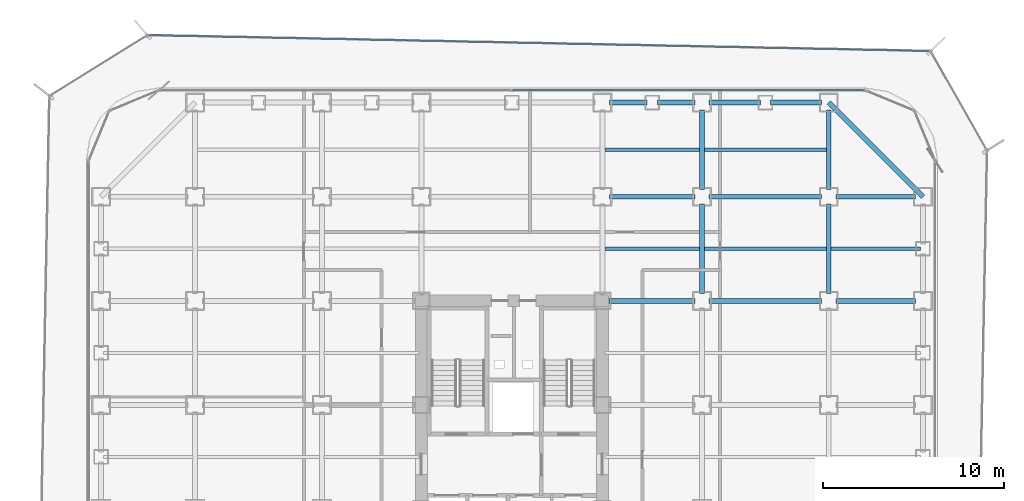
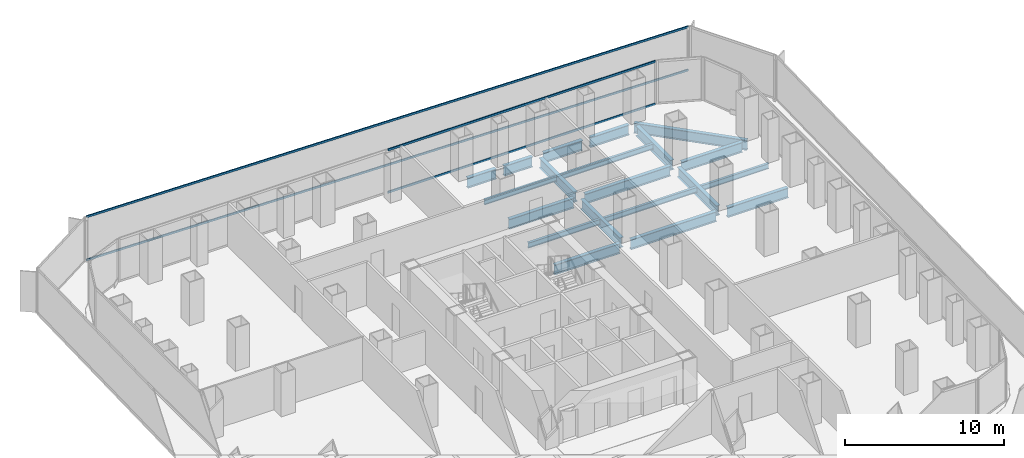
# One storey, part 14 of 21: 20 beams, 4 members, 2 elements without a shape of their own.
"""IFC4 building model written with IfcOpenShell, lengths in metres."""

from ifc_helpers import new_model, si_unit, direction, frame, origin, origin_2d, place, context, subcontext, project, spatial, hollow_rectangle, i_section, extrude, source, transform, mapped, material, layer, layer_set, material_profile, profile_set, type_object, element, aggregate, save


model = new_model("IFC4")

# Units and contexts
model_context = context("Model", 3, precision=1e-05, world=origin(), true_north=direction((0.0, 1.0)))
body_context = subcontext(model_context, "Body", "Model", "MODEL_VIEW")
ifc_project = project(units=[si_unit("LENGTHUNIT", "METRE"), si_unit("AREAUNIT", "SQUARE_METRE"), si_unit("VOLUMEUNIT", "CUBIC_METRE"), si_unit("PLANEANGLEUNIT", "RADIAN"), si_unit("MASSUNIT", "GRAM", prefix="KILO")], contexts=[model_context])

# Site, building, storey
site_placement = place(None, origin())
site = spatial("IfcSite", under=ifc_project, at=site_placement, CompositionType="ELEMENT")
building_placement = place(site_placement, origin())
building = spatial("IfcBuilding", under=site, at=building_placement, Name="Kolveth Station Tower", CompositionType="ELEMENT")
storey_placement = place(building_placement, frame((0.0, 0.0, 62.10009765625)))
storey = spatial("IfcBuildingStorey", under=building, at=storey_placement, Name="L16", CompositionType="ELEMENT", Elevation=62.10009765625)

# Beams
ifc_material_1 = material(Name="Steel S355", Category="steel")
ifc_material_profile_1 = material_profile(ifc_material_1, i_section(OverallWidth=0.26904296875, OverallDepth=0.77490234375, WebThickness=0.01708984375, FlangeThickness=0.0283203125, at=origin_2d()), Name="W760x220")
ifc_profile_set_1 = profile_set([ifc_material_profile_1], Name="Steel S355")
beam_type_1 = type_object("IfcBeamType", Name="Beam_SP1", PredefinedType="SPANDREL", material=ifc_profile_set_1)
shared_shape_1 = source(origin(), body_context, "Body", "SweptSolid", [
    extrude(i_section(OverallWidth=0.26904296875, OverallDepth=0.77490234375, WebThickness=0.01708984375, FlangeThickness=0.0283203125, at=origin_2d()), origin(), (0.0, 0.0, 1.0), 7.353759765625),
])
beam_1_placement = place(storey_placement, frame((46.199951171875, 34.5, -0.66748046875), z_axis=(-0.707106781187, 0.707106781187, 0.0), x_axis=(-0.707106781187, -0.707106781187, 0.0)))
element("IfcBeam", 1, at=beam_1_placement, inside=storey, type_object=beam_type_1, Name="L16 Corner Edge Girder BM-L16-CNR-NE", PredefinedType="SPANDREL", context=body_context, shape_type="MappedRepresentation", body=[
    mapped(shared_shape_1, transform((0.0, 0.0, 0.0), x_axis=(1.0, 0.0, 0.0), y_axis=(0.0, 1.0, 0.0), z_axis=(0.0, 0.0, 1.0), scale=1.0)),
])
shared_shape_2 = source(origin(), body_context, "Body", "SweptSolid", [
    extrude(i_section(OverallWidth=0.26904296875, OverallDepth=0.77490234375, WebThickness=0.01708984375, FlangeThickness=0.0283203125, at=origin_2d()), origin(), (0.0, 0.0, 1.0), 2.820068359375),
])
for number, where, z_axis, x_axis, name in (
    (2, (34.39990234375, 39.699951171875, -0.66748046875), (1.0, 0.0, 0.0), (0.0, 1.0, 0.0), "L16 Perimeter Spandrel BM-L16-PN-9"),
    (3, (37.780029296875, 39.699951171875, -0.66748046875), (1.0, 0.0, 0.0), (0.0, 1.0, 0.0), "L16 Perimeter Spandrel BM-L16-PN-10"),
):
    element("IfcBeam", number, at=place(storey_placement, frame(where, z_axis=z_axis, x_axis=x_axis)), inside=storey, type_object=beam_type_1, Name=name, PredefinedType="SPANDREL", context=body_context, shape_type="MappedRepresentation", body=[
        mapped(shared_shape_2, transform((0.0, 0.0, 0.0), x_axis=(1.0, 0.0, 0.0), y_axis=(0.0, 1.0, 0.0), z_axis=(0.0, 0.0, 1.0), scale=1.0)),
    ])
shared_shape_3 = source(origin(), body_context, "Body", "SweptSolid", [
    extrude(i_section(OverallWidth=0.26904296875, OverallDepth=0.77490234375, WebThickness=0.01708984375, FlangeThickness=0.0283203125, at=origin_2d()), origin(), (0.0, 0.0, 1.0), 2.070068359375),
])
for number, where, z_axis, x_axis, name in (
    (4, (28.89990234375, 39.699951171875, -0.66748046875), (1.0, 0.0, 0.0), (0.0, 1.0, 0.0), "L16 Perimeter Spandrel BM-L16-PN-7"),
    (5, (31.530029296875, 39.699951171875, -0.66748046875), (1.0, 0.0, 0.0), (0.0, 1.0, 0.0), "L16 Perimeter Spandrel BM-L16-PN-8"),
):
    element("IfcBeam", number, at=place(storey_placement, frame(where, z_axis=z_axis, x_axis=x_axis)), inside=storey, type_object=beam_type_1, Name=name, PredefinedType="SPANDREL", context=body_context, shape_type="MappedRepresentation", body=[
        mapped(shared_shape_3, transform((0.0, 0.0, 0.0), x_axis=(1.0, 0.0, 0.0), y_axis=(0.0, 1.0, 0.0), z_axis=(0.0, 0.0, 1.0), scale=1.0)),
    ])
ifc_material_profile_2 = material_profile(ifc_material_1, i_section(OverallWidth=0.26708984375, OverallDepth=0.76611328125, WebThickness=0.014892578125, FlangeThickness=0.023681640625, at=origin_2d()), Name="W760x185")
ifc_profile_set_2 = profile_set([ifc_material_profile_2], Name="Steel S355")
beam_type_2 = type_object("IfcBeamType", Name="Beam_B3", PredefinedType="BEAM", material=ifc_profile_set_2)
shared_shape_4 = source(origin(), body_context, "Body", "SweptSolid", [
    extrude(i_section(OverallWidth=0.26708984375, OverallDepth=0.76611328125, WebThickness=0.014892578125, FlangeThickness=0.023681640625, at=origin_2d()), origin(), (0.0, 0.0, 1.0), 4.400146484375),
])
for number, where, z_axis, x_axis, name in (
    (6, (41.39990234375, 28.75, -0.6630859375), (1.0, 0.0, 0.0), (0.0, 1.0, 0.0), "L16 Primary Girder BM-L16-GY287-7"),
    (7, (41.39990234375, 34.5, -0.6630859375), (1.0, 0.0, 0.0), (0.0, 1.0, 0.0), "L16 Primary Girder BM-L16-GY345-7"),
    (8, (34.0, 34.89990234375, -0.6630859375), (0.0, 1.0, 0.0), (-1.0, 0.0, 0.0), "L16 Primary Girder BM-L16-GX340-7"),
    (9, (41.0, 34.89990234375, -0.6630859375), (0.0, 1.0, 0.0), (-1.0, 0.0, 0.0), "L16 Primary Girder BM-L16-GX410-7"),
):
    element("IfcBeam", number, at=place(storey_placement, frame(where, z_axis=z_axis, x_axis=x_axis)), inside=storey, type_object=beam_type_2, Name=name, PredefinedType="BEAM", context=body_context, shape_type="MappedRepresentation", body=[
        mapped(shared_shape_4, transform((0.0, 0.0, 0.0), x_axis=(1.0, 0.0, 0.0), y_axis=(0.0, 1.0, 0.0), z_axis=(0.0, 0.0, 1.0), scale=1.0)),
    ])
shared_shape_5 = source(origin(), body_context, "Body", "SweptSolid", [
    extrude(i_section(OverallWidth=0.26708984375, OverallDepth=0.76611328125, WebThickness=0.014892578125, FlangeThickness=0.023681640625, at=origin_2d()), origin(), (0.0, 0.0, 1.0), 6.2001953125),
])
for number, where, z_axis, x_axis, name in (
    (10, (34.39990234375, 28.75, -0.6630859375), (1.0, 0.0, 0.0), (0.0, 1.0, 0.0), "L16 Primary Girder BM-L16-GY287-6"),
    (11, (34.39990234375, 34.5, -0.6630859375), (1.0, 0.0, 0.0), (0.0, 1.0, 0.0), "L16 Primary Girder BM-L16-GY345-6"),
):
    element("IfcBeam", number, at=place(storey_placement, frame(where, z_axis=z_axis, x_axis=x_axis)), inside=storey, type_object=beam_type_2, Name=name, PredefinedType="BEAM", context=body_context, shape_type="MappedRepresentation", body=[
        mapped(shared_shape_5, transform((0.0, 0.0, 0.0), x_axis=(1.0, 0.0, 0.0), y_axis=(0.0, 1.0, 0.0), z_axis=(0.0, 0.0, 1.0), scale=1.0)),
    ])
shared_shape_6 = source(origin(), body_context, "Body", "SweptSolid", [
    extrude(i_section(OverallWidth=0.26708984375, OverallDepth=0.76611328125, WebThickness=0.014892578125, FlangeThickness=0.023681640625, at=origin_2d()), origin(), (0.0, 0.0, 1.0), 4.7001953125),
])
beam_2_placement = place(storey_placement, frame((28.89990234375, 34.5, -0.6630859375), z_axis=(1.0, 0.0, 0.0), x_axis=(0.0, 1.0, 0.0)))
element("IfcBeam", 12, at=beam_2_placement, inside=storey, type_object=beam_type_2, Name="L16 Primary Girder BM-L16-GY345-5", PredefinedType="BEAM", context=body_context, shape_type="MappedRepresentation", body=[
    mapped(shared_shape_6, transform((0.0, 0.0, 0.0), x_axis=(1.0, 0.0, 0.0), y_axis=(0.0, 1.0, 0.0), z_axis=(0.0, 0.0, 1.0), scale=1.0)),
])
shared_shape_7 = source(origin(), body_context, "Body", "SweptSolid", [
    extrude(i_section(OverallWidth=0.26708984375, OverallDepth=0.76611328125, WebThickness=0.014892578125, FlangeThickness=0.023681640625, at=origin_2d()), origin(), (0.0, 0.0, 1.0), 4.739990234375),
])
beam_3_placement = place(storey_placement, frame((28.860107421875, 28.75, -0.6630859375), z_axis=(1.0, 0.0, 0.0), x_axis=(0.0, 1.0, 0.0)))
element("IfcBeam", 13, at=beam_3_placement, inside=storey, type_object=beam_type_2, Name="L16 Primary Girder BM-L16-GY287-5", PredefinedType="BEAM", context=body_context, shape_type="MappedRepresentation", body=[
    mapped(shared_shape_7, transform((0.0, 0.0, 0.0), x_axis=(1.0, 0.0, 0.0), y_axis=(0.0, 1.0, 0.0), z_axis=(0.0, 0.0, 1.0), scale=1.0)),
])
shared_shape_8 = source(origin(), body_context, "Body", "SweptSolid", [
    extrude(i_section(OverallWidth=0.26708984375, OverallDepth=0.76611328125, WebThickness=0.014892578125, FlangeThickness=0.023681640625, at=origin_2d()), origin(), (0.0, 0.0, 1.0), 4.9501953125),
])
for number, where, z_axis, x_axis, name in (
    (14, (34.0, 29.14990234375, -0.6630859375), (0.0, 1.0, 0.0), (-1.0, 0.0, 0.0), "L16 Primary Girder BM-L16-GX340-6"),
    (15, (41.0, 29.14990234375, -0.6630859375), (0.0, 1.0, 0.0), (-1.0, 0.0, 0.0), "L16 Primary Girder BM-L16-GX410-6"),
):
    element("IfcBeam", number, at=place(storey_placement, frame(where, z_axis=z_axis, x_axis=x_axis)), inside=storey, type_object=beam_type_2, Name=name, PredefinedType="BEAM", context=body_context, shape_type="MappedRepresentation", body=[
        mapped(shared_shape_8, transform((0.0, 0.0, 0.0), x_axis=(1.0, 0.0, 0.0), y_axis=(0.0, 1.0, 0.0), z_axis=(0.0, 0.0, 1.0), scale=1.0)),
    ])
ifc_material_profile_3 = material_profile(ifc_material_1, i_section(OverallWidth=0.177978515625, OverallDepth=0.406982421875, WebThickness=0.0078125, FlangeThickness=0.0126953125, at=origin_2d()), Name="W410x60")
ifc_profile_set_3 = profile_set([ifc_material_profile_3], Name="Steel S355")
beam_type_3 = type_object("IfcBeamType", Name="Beam_J1", PredefinedType="JOIST", material=ifc_profile_set_3)
shared_shape_9 = source(origin(), body_context, "Body", "SweptSolid", [
    extrude(i_section(OverallWidth=0.177978515625, OverallDepth=0.406982421875, WebThickness=0.0078125, FlangeThickness=0.0126953125, at=origin_2d()), origin(), (0.0, 0.0, 1.0), 4.935791015625),
])
beam_4_placement = place(storey_placement, frame((41.131591796875, 31.625, -0.483642578125), z_axis=(1.0, 0.0, 0.0), x_axis=(0.0, 1.0, 0.0)))
element("IfcBeam", 16, at=beam_4_placement, inside=storey, type_object=beam_type_3, Name="L16 Secondary Joist JST-L16-7-6", PredefinedType="JOIST", context=body_context, shape_type="MappedRepresentation", body=[
    mapped(shared_shape_9, transform((0.0, 0.0, 0.0), x_axis=(1.0, 0.0, 0.0), y_axis=(0.0, 1.0, 0.0), z_axis=(0.0, 0.0, 1.0), scale=1.0)),
])
shared_shape_10 = source(origin(), body_context, "Body", "SweptSolid", [
    extrude(i_section(OverallWidth=0.177978515625, OverallDepth=0.406982421875, WebThickness=0.0078125, FlangeThickness=0.0126953125, at=origin_2d()), origin(), (0.0, 0.0, 1.0), 6.73681640625),
])
for number, where, z_axis, x_axis, name in (
    (17, (34.131591796875, 31.625, -0.483642578125), (1.0, 0.0, 0.0), (0.0, 1.0, 0.0), "L16 Secondary Joist JST-L16-6-6"),
    (18, (34.131591796875, 37.10009765625, -0.483642578125), (1.0, 0.0, 0.0), (0.0, 1.0, 0.0), "L16 Secondary Joist JST-L16-6-7"),
):
    element("IfcBeam", number, at=place(storey_placement, frame(where, z_axis=z_axis, x_axis=x_axis)), inside=storey, type_object=beam_type_3, Name=name, PredefinedType="JOIST", context=body_context, shape_type="MappedRepresentation", body=[
        mapped(shared_shape_10, transform((0.0, 0.0, 0.0), x_axis=(1.0, 0.0, 0.0), y_axis=(0.0, 1.0, 0.0), z_axis=(0.0, 0.0, 1.0), scale=1.0)),
    ])
shared_shape_11 = source(origin(), body_context, "Body", "SweptSolid", [
    extrude(i_section(OverallWidth=0.177978515625, OverallDepth=0.406982421875, WebThickness=0.0078125, FlangeThickness=0.0126953125, at=origin_2d()), origin(), (0.0, 0.0, 1.0), 5.23681640625),
])
for number, where, z_axis, x_axis, name in (
    (19, (28.631591796875, 31.625, -0.483642578125), (1.0, 0.0, 0.0), (0.0, 1.0, 0.0), "L16 Secondary Joist JST-L16-5-6"),
    (20, (28.631591796875, 37.10009765625, -0.483642578125), (1.0, 0.0, 0.0), (0.0, 1.0, 0.0), "L16 Secondary Joist JST-L16-5-7"),
):
    element("IfcBeam", number, at=place(storey_placement, frame(where, z_axis=z_axis, x_axis=x_axis)), inside=storey, type_object=beam_type_3, Name=name, PredefinedType="JOIST", context=body_context, shape_type="MappedRepresentation", body=[
        mapped(shared_shape_11, transform((0.0, 0.0, 0.0), x_axis=(1.0, 0.0, 0.0), y_axis=(0.0, 1.0, 0.0), z_axis=(0.0, 0.0, 1.0), scale=1.0)),
    ])

# Curtain wall, members
ifc_material_2 = material(Name="Aluminium 6063-T6 and low-E dark glass", Category="aluminium")
ifc_layer_1 = layer(ifc_material_2, 0.179931640625)
ifc_layer_set_1 = layer_set([ifc_layer_1], Name="Aluminium 6063-T6 and low-E dark glass")
curtain_wall_type_1 = type_object("IfcCurtainWallType", Name="CurtainWall_CW-Z1", PredefinedType="NOTDEFINED", material=ifc_layer_set_1)
curtain_wall_1_placement = place(storey_placement, origin())
curtain_wall_1 = element("IfcCurtainWall", 21, at=curtain_wall_1_placement, inside=storey, type_object=curtain_wall_type_1, Name="L16 Inner Thermal Curtain Wall 6", PredefinedType="NOTDEFINED")
ifc_material_3 = material(Name="Black anodized aluminium 6063-T6", Category="aluminium")
ifc_material_profile_4 = material_profile(ifc_material_3, hollow_rectangle(XDim=0.074951171875, YDim=0.159912109375, WallThickness=0.0048828125, at=origin_2d()), Name="ALU-75x160x5")
ifc_profile_set_4 = profile_set([ifc_material_profile_4], Name="Black anodized aluminium 6063-T6")
member_type_1 = type_object("IfcMemberType", Name="Transom_TR1", PredefinedType="USERDEFINED", material=ifc_profile_set_4)
shared_shape_12 = source(origin(), body_context, "Body", "SweptSolid", [
    extrude(hollow_rectangle(XDim=0.074951171875, YDim=0.159912109375, WallThickness=0.0048828125, at=origin_2d()), origin(), (0.0, 0.0, 1.0), 19.387451171875),
])
member_1_placement = place(storey_placement, frame((42.925048828125, 40.3798828125, 0.037353515625), z_axis=(-1.0, 0.0, 0.0), x_axis=(0.0, -1.0, 0.0)))
member_1 = element("IfcMember", 22, at=member_1_placement, type_object=member_type_1, Name="CW-Z1 transom 1.1", ObjectType="TRANSOM", PredefinedType="USERDEFINED", context=body_context, shape_type="MappedRepresentation", body=[
    mapped(shared_shape_12, transform((0.0, 0.0, 0.0), x_axis=(1.0, 0.0, 0.0), y_axis=(0.0, 1.0, 0.0), z_axis=(0.0, 0.0, 1.0), scale=1.0)),
])
member_2_placement = place(storey_placement, frame((42.925048828125, 40.3798828125, 3.282470703125), z_axis=(-1.0, 0.0, 0.0), x_axis=(0.0, -1.0, 0.0)))
member_2 = element("IfcMember", 23, at=member_2_placement, type_object=member_type_1, Name="CW-Z1 transom 1.2", ObjectType="TRANSOM", PredefinedType="USERDEFINED", context=body_context, shape_type="MappedRepresentation", body=[
    mapped(shared_shape_12, transform((0.0, 0.0, 0.0), x_axis=(1.0, 0.0, 0.0), y_axis=(0.0, 1.0, 0.0), z_axis=(0.0, 0.0, 1.0), scale=1.0)),
])
aggregate(curtain_wall_1, [member_1, member_2])

ifc_material_4 = material(Name="Black anodized aluminium 6063-T6 and dark solar glass", Category="aluminium")
ifc_layer_2 = layer(ifc_material_4, 0.159912109375)
ifc_layer_set_2 = layer_set([ifc_layer_2], Name="Black anodized aluminium 6063-T6 and dark solar glass")
curtain_wall_type_2 = type_object("IfcCurtainWallType", Name="OUTER SKIN CW-OS", PredefinedType="NOTDEFINED", material=ifc_layer_set_2)
curtain_wall_2_placement = place(storey_placement, origin())
curtain_wall_2 = element("IfcCurtainWall", 24, at=curtain_wall_2_placement, inside=storey, type_object=curtain_wall_type_2, Name="L16 Outer Ventilated Skin Curtain Wall 4", PredefinedType="NOTDEFINED")
ifc_material_profile_5 = material_profile(ifc_material_3, hollow_rectangle(XDim=0.080078125, YDim=0.14990234375, WallThickness=0.0048828125, at=origin_2d()), Name="ALU-80x150x5")
ifc_profile_set_5 = profile_set([ifc_material_profile_5], Name="Black anodized aluminium 6063-T6")
member_type_2 = type_object("IfcMemberType", Name="Transom_TR-OS", PredefinedType="USERDEFINED", material=ifc_profile_set_5)
shared_shape_13 = source(origin(), body_context, "Body", "SweptSolid", [
    extrude(hollow_rectangle(XDim=0.080078125, YDim=0.14990234375, WallThickness=0.0048828125, at=origin_2d()), origin(), (0.0, 0.0, 1.0), 43.09814453125),
])
member_3_placement = place(storey_placement, frame((46.5439453125, 42.547119140625, 0.039794921875), z_axis=(-0.999793883943, 0.020302453795, 0.0), x_axis=(-0.020302453795, -0.999793883943, 0.0)))
member_3 = element("IfcMember", 25, at=member_3_placement, type_object=member_type_2, Name="CW-OS transom 1.1", ObjectType="TRANSOM", PredefinedType="USERDEFINED", context=body_context, shape_type="MappedRepresentation", body=[
    mapped(shared_shape_13, transform((0.0, 0.0, 0.0), x_axis=(1.0, 0.0, 0.0), y_axis=(0.0, 1.0, 0.0), z_axis=(0.0, 0.0, 1.0), scale=1.0)),
])
member_4_placement = place(storey_placement, frame((46.5439453125, 42.547119140625, 3.349853515625), z_axis=(-0.999793883943, 0.020302453795, 0.0), x_axis=(-0.020302453795, -0.999793883943, 0.0)))
member_4 = element("IfcMember", 26, at=member_4_placement, type_object=member_type_2, Name="CW-OS transom 1.2", ObjectType="TRANSOM", PredefinedType="USERDEFINED", context=body_context, shape_type="MappedRepresentation", body=[
    mapped(shared_shape_13, transform((0.0, 0.0, 0.0), x_axis=(1.0, 0.0, 0.0), y_axis=(0.0, 1.0, 0.0), z_axis=(0.0, 0.0, 1.0), scale=1.0)),
])
aggregate(curtain_wall_2, [member_3, member_4])

save(model, "model.ifc")
